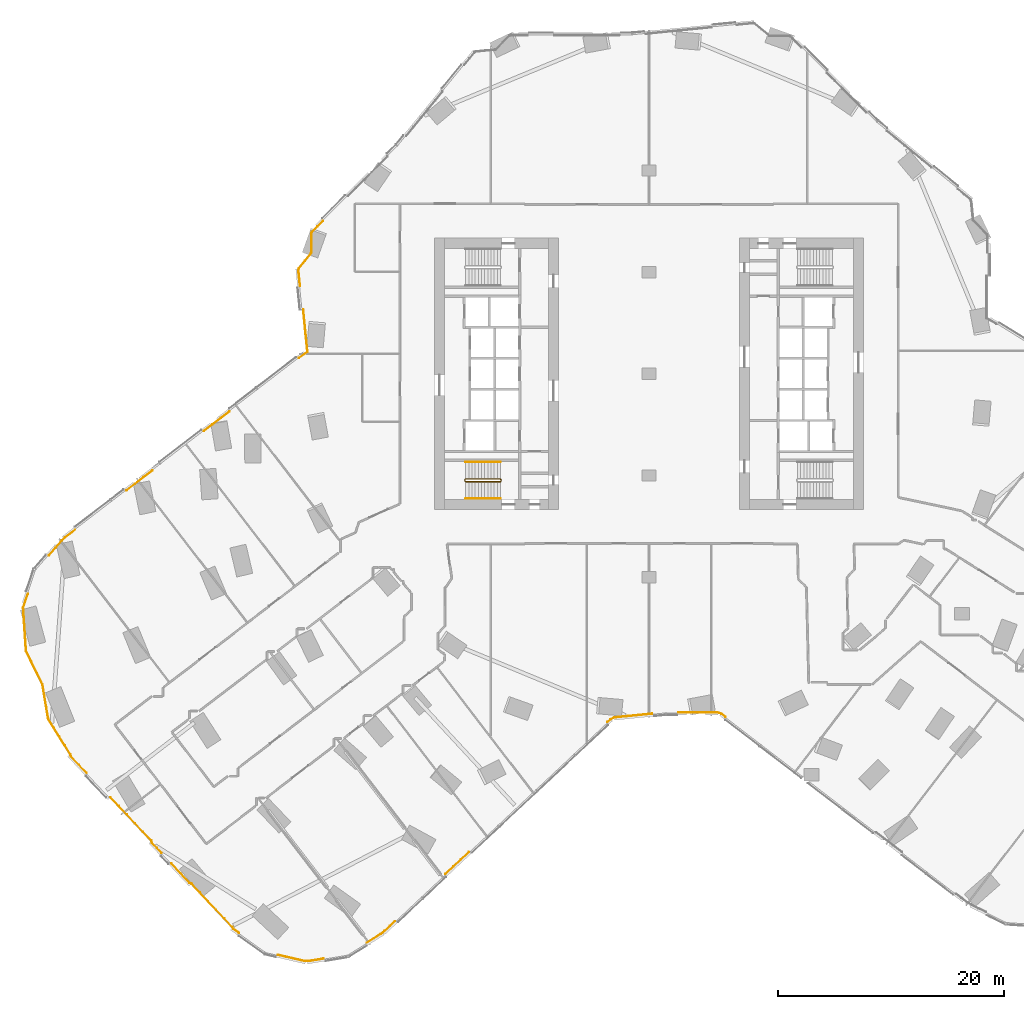
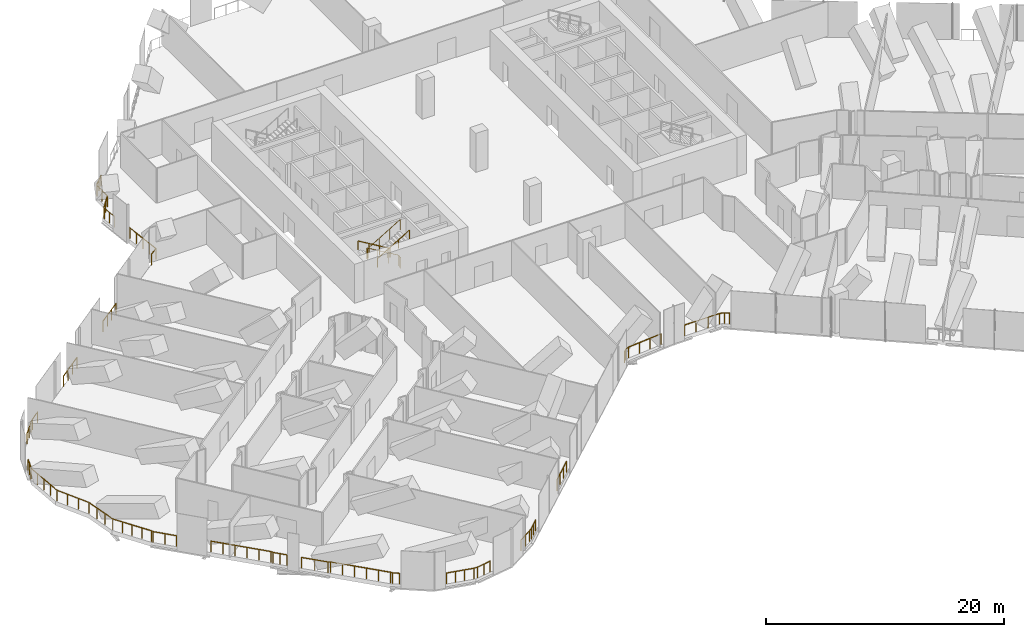
# One storey, part 30 of 32: 18 railings.
"""IFC4 building model written with IfcOpenShell, lengths in metres."""

from ifc_helpers import new_model, si_unit, direction, frame, origin, origin_2d, place, context, subcontext, project, spatial, circle, extrude, material, type_object, element, save


model = new_model("IFC4")

# Units and contexts
model_context = context("Model", 3, precision=1e-05, world=origin(), true_north=direction((0.0, 1.0)))
body_context = subcontext(model_context, "Body", "Model", "MODEL_VIEW")
ifc_project = project(units=[si_unit("LENGTHUNIT", "METRE"), si_unit("AREAUNIT", "SQUARE_METRE"), si_unit("VOLUMEUNIT", "CUBIC_METRE"), si_unit("PLANEANGLEUNIT", "RADIAN"), si_unit("MASSUNIT", "GRAM", prefix="KILO")], contexts=[model_context])

# Site, building, storey
site_placement = place(None, origin())
site = spatial("IfcSite", under=ifc_project, at=site_placement, CompositionType="ELEMENT")
building_placement = place(site_placement, origin())
building = spatial("IfcBuilding", under=site, at=building_placement, Name="Orlundy Tower", CompositionType="ELEMENT")
storey_placement = place(building_placement, frame((0.0, 0.0, 33.300048828125)))
storey = spatial("IfcBuildingStorey", under=building, at=storey_placement, Name="L06", CompositionType="ELEMENT", Elevation=33.300048828125)

# Railings
ifc_material_1 = material(Name="Steel balustrade", Category="steel")
railing_type_1 = type_object("IfcRailingType", Name="Stair Guard 1100", PredefinedType="GUARDRAIL", material=ifc_material_1)
railing_1_placement = place(storey_placement, frame((-13.090087890625, -9.35009765625, 0.0)))
element("IfcRailing", 1, at=railing_1_placement, inside=storey, type_object=railing_type_1, Name="L06 ST-W2 stair guard 1", PredefinedType="GUARDRAIL", context=body_context, shape_type="SweptSolid", body=[
    extrude(circle(Radius=0.02392578125, at=origin_2d()), frame((0.0, 0.0, 1.076171875), z_axis=(0.0, -1.0, 0.0), x_axis=(1.0, 0.0, 0.0)), (0.0, 0.0, 1.0), 0.14990234375),
    extrude(circle(Radius=0.02392578125, at=origin_2d()), frame((0.0, -0.14990234375, 1.076171875), z_axis=(-0.187996396626, 0.754750239394, 0.628497757347), x_axis=(-0.970351222016, -0.241699205484, 0.0)), (0.0, 0.0, 1.0), 0.264892578125),
    extrude(circle(Radius=0.02392578125, at=origin_2d()), frame((-0.0498046875, 0.050048828125, 1.24267578125), z_axis=(-0.85927862911, 0.0, 0.511507807912), x_axis=(0.0, -1.0, 0.0)), (0.0, 0.0, 1.0), 3.58447265625),
    extrude(circle(Radius=0.02392578125, at=origin_2d()), frame((-3.1298828125, 0.050048828125, 3.076171875), z_axis=(-0.707106781187, -0.707106781187, 0.0), x_axis=(0.707106781187, -0.707106781187, 0.0)), (0.0, 0.0, 1.0), 0.07080078125),
    extrude(circle(Radius=0.02392578125, at=origin_2d()), frame((-3.179931640625, 0.0, 3.076171875), z_axis=(0.0, -1.0, 0.0), x_axis=(1.0, 0.0, 0.0)), (0.0, 0.0, 1.0), 0.14990234375),
    extrude(circle(Radius=0.02392578125, at=origin_2d()), frame((-3.179931640625, -0.14990234375, 3.076171875), z_axis=(0.27662974545, -0.27662974545, 0.920299933644), x_axis=(0.707106781187, 0.707106781187, 0.0)), (0.0, 0.0, 1.0), 0.180908203125),
    extrude(circle(Radius=0.02392578125, at=origin_2d()), frame((-3.1298828125, -0.199951171875, 3.24267578125), z_axis=(0.85927862911, 0.0, 0.511507807912), x_axis=(0.0, 1.0, 0.0)), (0.0, 0.0, 1.0), 3.58447265625),
    extrude(circle(Radius=0.02099609375, at=origin_2d()), origin(), (0.0, 0.0, 1.0), 1.052001953125),
    extrude(circle(Radius=0.02099609375, at=origin_2d()), frame((0.0, -0.14990234375, 0.0)), (0.0, 0.0, 1.0), 1.052001953125),
    extrude(circle(Radius=0.02099609375, at=origin_2d()), frame((-0.0498046875, 0.050048828125, 0.16650390625)), (0.0, 0.0, 1.0), 1.052001953125),
    extrude(circle(Radius=0.02099609375, at=origin_2d()), frame((-1.076416015625, 0.050048828125, 0.777587890625)), (0.0, 0.0, 1.0), 1.052001953125),
    extrude(circle(Radius=0.02099609375, at=origin_2d()), frame((-2.103271484375, 0.050048828125, 1.388916015625)), (0.0, 0.0, 1.0), 1.052001953125),
    extrude(circle(Radius=0.02099609375, at=origin_2d()), frame((-3.1298828125, 0.050048828125, 2.0)), (0.0, 0.0, 1.0), 1.052001953125),
    extrude(circle(Radius=0.02099609375, at=origin_2d()), frame((-3.179931640625, 0.0, 2.0)), (0.0, 0.0, 1.0), 1.052001953125),
    extrude(circle(Radius=0.02099609375, at=origin_2d()), frame((-3.179931640625, -0.14990234375, 2.0)), (0.0, 0.0, 1.0), 1.052001953125),
    extrude(circle(Radius=0.02099609375, at=origin_2d()), frame((-3.1298828125, -0.199951171875, 2.16650390625)), (0.0, 0.0, 1.0), 1.052001953125),
    extrude(circle(Radius=0.02099609375, at=origin_2d()), frame((-2.103271484375, -0.199951171875, 2.777587890625)), (0.0, 0.0, 1.0), 1.052001953125),
    extrude(circle(Radius=0.02099609375, at=origin_2d()), frame((-1.076416015625, -0.199951171875, 3.388916015625)), (0.0, 0.0, 1.0), 1.052001953125),
    extrude(circle(Radius=0.02099609375, at=origin_2d()), frame((-0.0498046875, -0.199951171875, 4.0)), (0.0, 0.0, 1.0), 1.052001953125),
])
ifc_material_2 = material(Name="Steel handrail", Category="steel")
railing_type_2 = type_object("IfcRailingType", Name="Stair Handrail 900", PredefinedType="HANDRAIL", material=ifc_material_2)
railing_2_placement = place(storey_placement, frame((-13.139892578125, -7.800048828125, 0.16650390625)))
element("IfcRailing", 2, at=railing_2_placement, inside=storey, type_object=railing_type_2, Name="L06 ST-W2 stair handrail 1", PredefinedType="HANDRAIL", context=body_context, shape_type="SweptSolid", body=[
    extrude(circle(Radius=0.02392578125, at=origin_2d()), frame((0.0, 0.0, 0.8759765625), z_axis=(-0.85927862911, 0.0, 0.511507807912), x_axis=(0.0, -1.0, 0.0)), (0.0, 0.0, 1.0), 3.58447265625),
    extrude(circle(Radius=0.02099609375, at=origin_2d()), origin(), (0.0, 0.0, 1.0), 0.851806640625),
    extrude(circle(Radius=0.02099609375, at=origin_2d()), frame((-1.026611328125, 0.0, 0.611083984375)), (0.0, 0.0, 1.0), 0.851806640625),
    extrude(circle(Radius=0.02099609375, at=origin_2d()), frame((-2.053466796875, 0.0, 1.222412109375)), (0.0, 0.0, 1.0), 0.851806640625),
    extrude(circle(Radius=0.02099609375, at=origin_2d()), frame((-3.080078125, 0.0, 1.83349609375)), (0.0, 0.0, 1.0), 0.851806640625),
])
railing_3_placement = place(storey_placement, frame((-16.219970703125, -11.050048828125, 2.16650390625)))
element("IfcRailing", 3, at=railing_3_placement, inside=storey, type_object=railing_type_2, Name="L06 ST-W2 stair handrail 2", PredefinedType="HANDRAIL", context=body_context, shape_type="SweptSolid", body=[
    extrude(circle(Radius=0.02392578125, at=origin_2d()), frame((0.0, 0.0, 0.8759765625), z_axis=(0.85927862911, 0.0, 0.511507807912), x_axis=(0.0, 1.0, 0.0)), (0.0, 0.0, 1.0), 3.58447265625),
    extrude(circle(Radius=0.02099609375, at=origin_2d()), origin(), (0.0, 0.0, 1.0), 0.851806640625),
    extrude(circle(Radius=0.02099609375, at=origin_2d()), frame((1.026611328125, 0.0, 0.611083984375)), (0.0, 0.0, 1.0), 0.851806640625),
    extrude(circle(Radius=0.02099609375, at=origin_2d()), frame((2.053466796875, 0.0, 1.222412109375)), (0.0, 0.0, 1.0), 0.851806640625),
    extrude(circle(Radius=0.02099609375, at=origin_2d()), frame((3.080078125, 0.0, 1.83349609375)), (0.0, 0.0, 1.0), 0.851806640625),
])
ifc_material_3 = material(Name="Stainless steel bronze finish", Category="steel")
railing_type_3 = type_object("IfcRailingType", Name="TG1 terrace guard", PredefinedType="GUARDRAIL", material=ifc_material_3)
railing_4_placement = place(storey_placement, frame((-36.282958984375, -49.47119140625, 0.0)))
element("IfcRailing", 4, at=railing_4_placement, inside=storey, type_object=railing_type_3, Name="Guard TG-L06-E00", PredefinedType="GUARDRAIL", context=body_context, shape_type="SweptSolid", body=[
    extrude(circle(Radius=0.02490234375, at=origin_2d()), frame((0.0, 0.0, 1.09521484375), z_axis=(-0.813167238719, 0.582030103924, 0.0), x_axis=(-0.582030103924, -0.813167238719, 0.0)), (0.0, 0.0, 1.0), 0.5830078125),
    extrude(circle(Radius=0.02490234375, at=origin_2d()), frame((-0.47412109375, 0.33935546875, 1.09521484375), z_axis=(-0.509837067876, 0.860270983016, 0.0), x_axis=(-0.860270983016, -0.509837067876, 0.0)), (0.0, 0.0, 1.0), 0.19287109375),
    extrude(circle(Radius=0.02490234375, at=origin_2d()), frame((-0.572509765625, 0.50537109375, 1.09521484375), z_axis=(-0.684145287858, 0.729345751411, 0.0), x_axis=(-0.729345751411, -0.684145287858, 0.0)), (0.0, 0.0, 1.0), 5.25),
    extrude(circle(Radius=0.02490234375, at=origin_2d()), frame((-4.164306640625, 4.33447265625, 1.09521484375), z_axis=(-0.905690226558, 0.423940106049, 0.0), x_axis=(-0.423940106049, -0.905690226558, 0.0)), (0.0, 0.0, 1.0), 0.21533203125),
    extrude(circle(Radius=0.02490234375, at=origin_2d()), frame((-4.359375, 4.42578125, 1.09521484375), z_axis=(-0.684176896422, 0.729316100468, 0.0), x_axis=(-0.729316100468, -0.684176896422, 0.0)), (0.0, 0.0, 1.0), 2.342041015625),
    extrude(circle(Radius=0.02001953125, at=origin_2d()), origin(), (0.0, 0.0, 1.0), 1.070068359375),
    extrude(circle(Radius=0.02001953125, at=origin_2d()), frame((-0.47412109375, 0.33935546875, 0.0)), (0.0, 0.0, 1.0), 1.070068359375),
    extrude(circle(Radius=0.02001953125, at=origin_2d()), frame((-0.572509765625, 0.50537109375, 0.0)), (0.0, 0.0, 1.0), 1.070068359375),
    extrude(circle(Radius=0.02001953125, at=origin_2d()), frame((-1.290771484375, 1.271240234375, 0.0)), (0.0, 0.0, 1.0), 1.070068359375),
    extrude(circle(Radius=0.02001953125, at=origin_2d()), frame((-2.00927734375, 2.037109375, 0.0)), (0.0, 0.0, 1.0), 1.070068359375),
    extrude(circle(Radius=0.02001953125, at=origin_2d()), frame((-2.7275390625, 2.802734375, 0.0)), (0.0, 0.0, 1.0), 1.070068359375),
    extrude(circle(Radius=0.02001953125, at=origin_2d()), frame((-3.446044921875, 3.568603515625, 0.0)), (0.0, 0.0, 1.0), 1.070068359375),
    extrude(circle(Radius=0.02001953125, at=origin_2d()), frame((-4.164306640625, 4.33447265625, 0.0)), (0.0, 0.0, 1.0), 1.070068359375),
    extrude(circle(Radius=0.02001953125, at=origin_2d()), frame((-4.359375, 4.42578125, 0.0)), (0.0, 0.0, 1.0), 1.070068359375),
    extrude(circle(Radius=0.02001953125, at=origin_2d()), frame((-5.16064453125, 5.27978515625, 0.0)), (0.0, 0.0, 1.0), 1.070068359375),
    extrude(circle(Radius=0.02001953125, at=origin_2d()), frame((-5.961669921875, 6.1337890625, 0.0)), (0.0, 0.0, 1.0), 1.070068359375),
])
railing_5_placement = place(storey_placement, frame((-43.119873046875, -42.404296875, 0.0)))
element("IfcRailing", 5, at=railing_5_placement, inside=storey, type_object=railing_type_3, Name="Guard TG-L06-E02", PredefinedType="GUARDRAIL", context=body_context, shape_type="SweptSolid", body=[
    extrude(circle(Radius=0.02490234375, at=origin_2d()), frame((0.0, 0.0, 1.09521484375), z_axis=(-0.68409312711, 0.729394676044, 0.0), x_axis=(-0.729394676044, -0.68409312711, 0.0)), (0.0, 0.0, 1.0), 1.228759765625),
    extrude(circle(Radius=0.02490234375, at=origin_2d()), frame((-0.840576171875, 0.896240234375, 1.09521484375), z_axis=(-0.364741001806, 0.931109017034, 0.0), x_axis=(-0.931109017034, -0.364741001806, 0.0)), (0.0, 0.0, 1.0), 0.215576171875),
    extrude(circle(Radius=0.02490234375, at=origin_2d()), frame((-0.919189453125, 1.096923828125, 1.09521484375), z_axis=(-0.684120549876, 0.729368955493, 0.0), x_axis=(-0.729368955493, -0.684120549876, 0.0)), (0.0, 0.0, 1.0), 5.25),
    extrude(circle(Radius=0.02001953125, at=origin_2d()), origin(), (0.0, 0.0, 1.0), 1.070068359375),
    extrude(circle(Radius=0.02001953125, at=origin_2d()), frame((-0.42041015625, 0.4482421875, 0.0)), (0.0, 0.0, 1.0), 1.070068359375),
    extrude(circle(Radius=0.02001953125, at=origin_2d()), frame((-0.840576171875, 0.896240234375, 0.0)), (0.0, 0.0, 1.0), 1.070068359375),
    extrude(circle(Radius=0.02001953125, at=origin_2d()), frame((-0.919189453125, 1.096923828125, 0.0)), (0.0, 0.0, 1.0), 1.070068359375),
    extrude(circle(Radius=0.02001953125, at=origin_2d()), frame((-1.637451171875, 1.86279296875, 0.0)), (0.0, 0.0, 1.0), 1.070068359375),
    extrude(circle(Radius=0.02001953125, at=origin_2d()), frame((-2.355712890625, 2.628662109375, 0.0)), (0.0, 0.0, 1.0), 1.070068359375),
    extrude(circle(Radius=0.02001953125, at=origin_2d()), frame((-3.07421875, 3.394287109375, 0.0)), (0.0, 0.0, 1.0), 1.070068359375),
    extrude(circle(Radius=0.02001953125, at=origin_2d()), frame((-3.79248046875, 4.16015625, 0.0)), (0.0, 0.0, 1.0), 1.070068359375),
    extrude(circle(Radius=0.02001953125, at=origin_2d()), frame((-4.5107421875, 4.926025390625, 0.0)), (0.0, 0.0, 1.0), 1.070068359375),
])
railing_6_placement = place(storey_placement, frame((-30.8798828125, 7.79052734375, 0.0)))
element("IfcRailing", 6, at=railing_6_placement, inside=storey, type_object=railing_type_3, Name="Guard TG-L06-E06", PredefinedType="GUARDRAIL", context=body_context, shape_type="SweptSolid", body=[
    extrude(circle(Radius=0.02490234375, at=origin_2d()), frame((0.0, 0.0, 1.09521484375), z_axis=(-0.098723080982, 0.995114944758, 0.0), x_axis=(-0.995114944758, -0.098723080982, 0.0)), (0.0, 0.0, 1.0), 1.424560546875),
    extrude(circle(Radius=0.02490234375, at=origin_2d()), frame((-0.140625, 1.41748046875, 1.09521484375), z_axis=(0.268969644724, 0.963148654267, 0.0), x_axis=(-0.963148654267, 0.268969644724, 0.0)), (0.0, 0.0, 1.0), 0.12353515625),
    extrude(circle(Radius=0.02490234375, at=origin_2d()), frame((-0.107421875, 1.536376953125, 1.09521484375), z_axis=(0.633807135146, 0.773491121757, 0.0), x_axis=(-0.773491121757, 0.633807135146, 0.0)), (0.0, 0.0, 1.0), 1.7041015625),
    extrude(circle(Radius=0.02490234375, at=origin_2d()), frame((0.97265625, 2.8544921875, 1.09521484375), z_axis=(0.338826592049, 0.940848840421, 0.0), x_axis=(-0.940848840421, 0.338826592049, 0.0)), (0.0, 0.0, 1.0), 0.080810546875),
    extrude(circle(Radius=0.02490234375, at=origin_2d()), frame((1.0, 2.930419921875, 1.09521484375), z_axis=(0.0, 1.0, 0.0), x_axis=(-1.0, 0.0, 0.0)), (0.0, 0.0, 1.0), 1.705078125),
    extrude(circle(Radius=0.02490234375, at=origin_2d()), frame((1.0, 4.635498046875, 1.09521484375), z_axis=(0.401545075619, 0.91583926114, 0.0), x_axis=(-0.91583926114, 0.401545075619, 0.0)), (0.0, 0.0, 1.0), 0.12353515625),
    extrude(circle(Radius=0.02490234375, at=origin_2d()), frame((1.049560546875, 4.74853515625, 1.09521484375), z_axis=(0.707106781187, 0.707106781187, 0.0), x_axis=(-0.707106781187, 0.707106781187, 0.0)), (0.0, 0.0, 1.0), 1.3720703125),
    extrude(circle(Radius=0.02001953125, at=origin_2d()), origin(), (0.0, 0.0, 1.0), 1.070068359375),
    extrude(circle(Radius=0.02001953125, at=origin_2d()), frame((-0.0703125, 0.708740234375, 0.0)), (0.0, 0.0, 1.0), 1.070068359375),
    extrude(circle(Radius=0.02001953125, at=origin_2d()), frame((-0.140625, 1.41748046875, 0.0)), (0.0, 0.0, 1.0), 1.070068359375),
    extrude(circle(Radius=0.02001953125, at=origin_2d()), frame((-0.107421875, 1.536376953125, 0.0)), (0.0, 0.0, 1.0), 1.070068359375),
    extrude(circle(Radius=0.02001953125, at=origin_2d()), frame((0.4326171875, 2.1953125, 0.0)), (0.0, 0.0, 1.0), 1.070068359375),
    extrude(circle(Radius=0.02001953125, at=origin_2d()), frame((0.97265625, 2.8544921875, 0.0)), (0.0, 0.0, 1.0), 1.070068359375),
    extrude(circle(Radius=0.02001953125, at=origin_2d()), frame((1.0, 2.930419921875, 0.0)), (0.0, 0.0, 1.0), 1.070068359375),
    extrude(circle(Radius=0.02001953125, at=origin_2d()), frame((1.0, 3.782958984375, 0.0)), (0.0, 0.0, 1.0), 1.070068359375),
    extrude(circle(Radius=0.02001953125, at=origin_2d()), frame((1.0, 4.635498046875, 0.0)), (0.0, 0.0, 1.0), 1.070068359375),
    extrude(circle(Radius=0.02001953125, at=origin_2d()), frame((1.049560546875, 4.74853515625, 0.0)), (0.0, 0.0, 1.0), 1.070068359375),
    extrude(circle(Radius=0.02001953125, at=origin_2d()), frame((1.53466796875, 5.233642578125, 0.0)), (0.0, 0.0, 1.0), 1.070068359375),
    extrude(circle(Radius=0.02001953125, at=origin_2d()), frame((2.019775390625, 5.71875, 0.0)), (0.0, 0.0, 1.0), 1.070068359375),
])
railing_7_placement = place(storey_placement, frame((-53.155517578125, -30.541748046875, 0.0)))
element("IfcRailing", 7, at=railing_7_placement, inside=storey, type_object=railing_type_3, Name="Guard TG-L06-E08", PredefinedType="GUARDRAIL", context=body_context, shape_type="SweptSolid", body=[
    extrude(circle(Radius=0.02490234375, at=origin_2d()), frame((0.0, 0.0, 1.09521484375), z_axis=(-0.16516235139, 0.986266392859, 0.0), x_axis=(-0.986266392859, -0.16516235139, 0.0)), (0.0, 0.0, 1.0), 3.111572265625),
    extrude(circle(Radius=0.02490234375, at=origin_2d()), frame((-0.513916015625, 3.06884765625, 1.09521484375), z_axis=(-0.442257164976, 0.896888287373, 0.0), x_axis=(-0.896888287373, -0.442257164976, 0.0)), (0.0, 0.0, 1.0), 3.275146484375),
    extrude(circle(Radius=0.02001953125, at=origin_2d()), origin(), (0.0, 0.0, 1.0), 1.070068359375),
    extrude(circle(Radius=0.02001953125, at=origin_2d()), frame((-0.17138671875, 1.02294921875, 0.0)), (0.0, 0.0, 1.0), 1.070068359375),
    extrude(circle(Radius=0.02001953125, at=origin_2d()), frame((-0.342529296875, 2.0458984375, 0.0)), (0.0, 0.0, 1.0), 1.070068359375),
    extrude(circle(Radius=0.02001953125, at=origin_2d()), frame((-0.513916015625, 3.06884765625, 0.0)), (0.0, 0.0, 1.0), 1.070068359375),
    extrude(circle(Radius=0.02001953125, at=origin_2d()), frame((-0.996826171875, 4.048095703125, 0.0)), (0.0, 0.0, 1.0), 1.070068359375),
    extrude(circle(Radius=0.02001953125, at=origin_2d()), frame((-1.4794921875, 5.027099609375, 0.0)), (0.0, 0.0, 1.0), 1.070068359375),
    extrude(circle(Radius=0.02001953125, at=origin_2d()), frame((-1.96240234375, 6.00634765625, 0.0)), (0.0, 0.0, 1.0), 1.070068359375),
])
railing_8_placement = place(storey_placement, frame((-49.753173828125, -35.33251953125, 0.0)))
element("IfcRailing", 8, at=railing_8_placement, inside=storey, type_object=railing_type_3, Name="Guard TG-L06-E010", PredefinedType="GUARDRAIL", context=body_context, shape_type="SweptSolid", body=[
    extrude(circle(Radius=0.02490234375, at=origin_2d()), frame((0.0, 0.0, 1.09521484375), z_axis=(-0.684108876508, 0.729379904496, 0.0), x_axis=(-0.729379904496, -0.684108876508, 0.0)), (0.0, 0.0, 1.0), 2.033203125),
    extrude(circle(Radius=0.02490234375, at=origin_2d()), frame((-1.390869140625, 1.48291015625, 1.09521484375), z_axis=(-0.331364286871, 0.943502893152, 0.0), x_axis=(-0.943502893152, -0.331364286871, 0.0)), (0.0, 0.0, 1.0), 0.193115234375),
    extrude(circle(Radius=0.02490234375, at=origin_2d()), frame((-1.454833984375, 1.6650390625, 1.09521484375), z_axis=(-0.52881261138, 0.848738606431, 0.0), x_axis=(-0.848738606431, -0.52881261138, 0.0)), (0.0, 0.0, 1.0), 3.682861328125),
    extrude(circle(Radius=0.02001953125, at=origin_2d()), origin(), (0.0, 0.0, 1.0), 1.070068359375),
    extrude(circle(Radius=0.02001953125, at=origin_2d()), frame((-0.6953125, 0.741455078125, 0.0)), (0.0, 0.0, 1.0), 1.070068359375),
    extrude(circle(Radius=0.02001953125, at=origin_2d()), frame((-1.390869140625, 1.48291015625, 0.0)), (0.0, 0.0, 1.0), 1.070068359375),
    extrude(circle(Radius=0.02001953125, at=origin_2d()), frame((-1.454833984375, 1.6650390625, 0.0)), (0.0, 0.0, 1.0), 1.070068359375),
    extrude(circle(Radius=0.02001953125, at=origin_2d()), frame((-1.941650390625, 2.446533203125, 0.0)), (0.0, 0.0, 1.0), 1.070068359375),
    extrude(circle(Radius=0.02001953125, at=origin_2d()), frame((-2.4287109375, 3.22802734375, 0.0)), (0.0, 0.0, 1.0), 1.070068359375),
    extrude(circle(Radius=0.02001953125, at=origin_2d()), frame((-2.91552734375, 4.00927734375, 0.0)), (0.0, 0.0, 1.0), 1.070068359375),
    extrude(circle(Radius=0.02001953125, at=origin_2d()), frame((-3.40234375, 4.790771484375, 0.0)), (0.0, 0.0, 1.0), 1.070068359375),
])
railing_9_placement = place(storey_placement, frame((-55.117919921875, -24.535400390625, 0.0)))
element("IfcRailing", 9, at=railing_9_placement, inside=storey, type_object=railing_type_3, Name="Guard TG-L06-E014", PredefinedType="GUARDRAIL", context=body_context, shape_type="SweptSolid", body=[
    extrude(circle(Radius=0.02490234375, at=origin_2d()), frame((0.0, 0.0, 1.09521484375), z_axis=(-0.066981657465, 0.997754206988, 0.0), x_axis=(-0.997754206988, -0.066981657465, 0.0)), (0.0, 0.0, 1.0), 3.8525390625),
    extrude(circle(Radius=0.02490234375, at=origin_2d()), frame((-0.258056640625, 3.843994140625, 1.09521484375), z_axis=(0.32144168155, 0.946929377178, 0.0), x_axis=(-0.946929377178, 0.32144168155, 0.0)), (0.0, 0.0, 1.0), 1.291259765625),
    extrude(circle(Radius=0.02001953125, at=origin_2d()), origin(), (0.0, 0.0, 1.0), 1.070068359375),
    extrude(circle(Radius=0.02001953125, at=origin_2d()), frame((-0.064453125, 0.9609375, 0.0)), (0.0, 0.0, 1.0), 1.070068359375),
    extrude(circle(Radius=0.02001953125, at=origin_2d()), frame((-0.12890625, 1.921875, 0.0)), (0.0, 0.0, 1.0), 1.070068359375),
    extrude(circle(Radius=0.02001953125, at=origin_2d()), frame((-0.193603515625, 2.883056640625, 0.0)), (0.0, 0.0, 1.0), 1.070068359375),
    extrude(circle(Radius=0.02001953125, at=origin_2d()), frame((-0.258056640625, 3.843994140625, 0.0)), (0.0, 0.0, 1.0), 1.070068359375),
    extrude(circle(Radius=0.02001953125, at=origin_2d()), frame((-0.050537109375, 4.455322265625, 0.0)), (0.0, 0.0, 1.0), 1.070068359375),
    extrude(circle(Radius=0.02001953125, at=origin_2d()), frame((0.156982421875, 5.066650390625, 0.0)), (0.0, 0.0, 1.0), 1.070068359375),
])
railing_10_placement = place(storey_placement, frame((-30.982421875, 1.3857421875, 0.0)))
element("IfcRailing", 10, at=railing_10_placement, inside=storey, type_object=railing_type_3, Name="Guard TG-L06-E021", PredefinedType="GUARDRAIL", context=body_context, shape_type="SweptSolid", body=[
    extrude(circle(Radius=0.02490234375, at=origin_2d()), frame((0.0, 0.0, 1.09521484375), z_axis=(0.80808702635, 0.589063118728, 0.0), x_axis=(-0.589063118728, 0.80808702635, 0.0)), (0.0, 0.0, 1.0), 0.944091796875),
    extrude(circle(Radius=0.02490234375, at=origin_2d()), frame((0.762939453125, 0.55615234375, 1.09521484375), z_axis=(-0.098705381042, 0.99511670057, 0.0), x_axis=(-0.99511670057, -0.098705381042, 0.0)), (0.0, 0.0, 1.0), 3.754638671875),
    extrude(circle(Radius=0.02001953125, at=origin_2d()), origin(), (0.0, 0.0, 1.0), 1.070068359375),
    extrude(circle(Radius=0.02001953125, at=origin_2d()), frame((0.762939453125, 0.55615234375, 0.0)), (0.0, 0.0, 1.0), 1.070068359375),
    extrude(circle(Radius=0.02001953125, at=origin_2d()), frame((0.67041015625, 1.490234375, 0.0)), (0.0, 0.0, 1.0), 1.070068359375),
    extrude(circle(Radius=0.02001953125, at=origin_2d()), frame((0.57763671875, 2.42431640625, 0.0)), (0.0, 0.0, 1.0), 1.070068359375),
    extrude(circle(Radius=0.02001953125, at=origin_2d()), frame((0.48486328125, 3.3583984375, 0.0)), (0.0, 0.0, 1.0), 1.070068359375),
    extrude(circle(Radius=0.02001953125, at=origin_2d()), frame((0.392333984375, 4.29248046875, 0.0)), (0.0, 0.0, 1.0), 1.070068359375),
])
railing_11_placement = place(storey_placement, frame((6.771484375, -30.355224609375, 0.0)))
element("IfcRailing", 11, at=railing_11_placement, inside=storey, type_object=railing_type_3, Name="Guard TG-L06-E022", PredefinedType="GUARDRAIL", context=body_context, shape_type="SweptSolid", body=[
    extrude(circle(Radius=0.02490234375, at=origin_2d()), frame((0.0, 0.0, 1.09521484375), z_axis=(-0.793290434524, 0.608843400631, 0.0), x_axis=(-0.608843400631, -0.793290434524, 0.0)), (0.0, 0.0, 1.0), 0.435546875),
    extrude(circle(Radius=0.02490234375, at=origin_2d()), frame((-0.345458984375, 0.26513671875, 1.09521484375), z_axis=(-0.946857315914, 0.321653887433, 0.0), x_axis=(-0.321653887433, -0.946857315914, 0.0)), (0.0, 0.0, 1.0), 0.404541015625),
    extrude(circle(Radius=0.02490234375, at=origin_2d()), frame((-0.728515625, 0.395263671875, 1.09521484375), z_axis=(-1.0, 0.0, 0.0), x_axis=(0.0, -1.0, 0.0)), (0.0, 0.0, 1.0), 3.414794921875),
    extrude(circle(Radius=0.02001953125, at=origin_2d()), origin(), (0.0, 0.0, 1.0), 1.070068359375),
    extrude(circle(Radius=0.02001953125, at=origin_2d()), frame((-0.345458984375, 0.26513671875, 0.0)), (0.0, 0.0, 1.0), 1.070068359375),
    extrude(circle(Radius=0.02001953125, at=origin_2d()), frame((-0.728515625, 0.395263671875, 0.0)), (0.0, 0.0, 1.0), 1.070068359375),
    extrude(circle(Radius=0.02001953125, at=origin_2d()), frame((-1.86669921875, 0.395263671875, 0.0)), (0.0, 0.0, 1.0), 1.070068359375),
    extrude(circle(Radius=0.02001953125, at=origin_2d()), frame((-3.005126953125, 0.395263671875, 0.0)), (0.0, 0.0, 1.0), 1.070068359375),
    extrude(circle(Radius=0.02001953125, at=origin_2d()), frame((-4.143310546875, 0.395263671875, 0.0)), (0.0, 0.0, 1.0), 1.070068359375),
])
railing_12_placement = place(storey_placement, frame((-28.80029296875, -51.75146484375, 0.0)))
element("IfcRailing", 12, at=railing_12_placement, inside=storey, type_object=railing_type_3, Name="Guard TG-L06-E024", PredefinedType="GUARDRAIL", context=body_context, shape_type="SweptSolid", body=[
    extrude(circle(Radius=0.02490234375, at=origin_2d()), frame((0.0, 0.0, 1.09521484375), z_axis=(-0.986506522021, -0.163721965568, 0.0), x_axis=(0.163721965568, -0.986506522021, 0.0)), (0.0, 0.0, 1.0), 1.344970703125),
    extrude(circle(Radius=0.02490234375, at=origin_2d()), frame((-1.326904296875, -0.22021484375, 1.09521484375), z_axis=(-0.999496149161, 0.031740318411, 0.0), x_axis=(-0.031740318411, -0.999496149161, 0.0)), (0.0, 0.0, 1.0), 0.376953125),
    extrude(circle(Radius=0.02490234375, at=origin_2d()), frame((-1.70361328125, -0.208251953125, 1.09521484375), z_axis=(-0.974070019875, 0.226246759935, 0.0), x_axis=(-0.226246759935, -0.974070019875, 0.0)), (0.0, 0.0, 1.0), 2.403076171875),
    extrude(circle(Radius=0.02001953125, at=origin_2d()), origin(), (0.0, 0.0, 1.0), 1.070068359375),
    extrude(circle(Radius=0.02001953125, at=origin_2d()), frame((-0.66357421875, -0.110107421875, 0.0)), (0.0, 0.0, 1.0), 1.070068359375),
    extrude(circle(Radius=0.02001953125, at=origin_2d()), frame((-1.326904296875, -0.22021484375, 0.0)), (0.0, 0.0, 1.0), 1.070068359375),
    extrude(circle(Radius=0.02001953125, at=origin_2d()), frame((-1.70361328125, -0.208251953125, 0.0)), (0.0, 0.0, 1.0), 1.070068359375),
    extrude(circle(Radius=0.02001953125, at=origin_2d()), frame((-2.48388671875, -0.027099609375, 0.0)), (0.0, 0.0, 1.0), 1.070068359375),
    extrude(circle(Radius=0.02001953125, at=origin_2d()), frame((-3.26416015625, 0.154296875, 0.0)), (0.0, 0.0, 1.0), 1.070068359375),
    extrude(circle(Radius=0.02001953125, at=origin_2d()), frame((-4.04443359375, 0.33544921875, 0.0)), (0.0, 0.0, 1.0), 1.070068359375),
])
railing_13_placement = place(storey_placement, frame((0.2734375, -30.080078125, 0.0)))
element("IfcRailing", 13, at=railing_13_placement, inside=storey, type_object=railing_type_3, Name="Guard TG-L06-E025", PredefinedType="GUARDRAIL", context=body_context, shape_type="SweptSolid", body=[
    extrude(circle(Radius=0.02490234375, at=origin_2d()), frame((0.0, 0.0, 1.09521484375), z_axis=(-0.995111350016, -0.098759308778, 0.0), x_axis=(0.098759308778, -0.995111350016, 0.0)), (0.0, 0.0, 1.0), 3.3447265625),
    extrude(circle(Radius=0.02490234375, at=origin_2d()), frame((-3.328369140625, -0.330322265625, 1.09521484375), z_axis=(-0.910469832584, -0.413575487613, 0.0), x_axis=(0.413575487613, -0.910469832584, 0.0)), (0.0, 0.0, 1.0), 0.404296875),
    extrude(circle(Radius=0.02490234375, at=origin_2d()), frame((-3.696533203125, -0.49755859375, 1.09521484375), z_axis=(-0.729558769003, -0.683918125634, 0.0), x_axis=(0.683918125634, -0.729558769003, 0.0)), (0.0, 0.0, 1.0), 0.35302734375),
    extrude(circle(Radius=0.02001953125, at=origin_2d()), origin(), (0.0, 0.0, 1.0), 1.070068359375),
    extrude(circle(Radius=0.02001953125, at=origin_2d()), frame((-1.109375, -0.110107421875, 0.0)), (0.0, 0.0, 1.0), 1.070068359375),
    extrude(circle(Radius=0.02001953125, at=origin_2d()), frame((-2.218994140625, -0.22021484375, 0.0)), (0.0, 0.0, 1.0), 1.070068359375),
    extrude(circle(Radius=0.02001953125, at=origin_2d()), frame((-3.328369140625, -0.330322265625, 0.0)), (0.0, 0.0, 1.0), 1.070068359375),
    extrude(circle(Radius=0.02001953125, at=origin_2d()), frame((-3.696533203125, -0.49755859375, 0.0)), (0.0, 0.0, 1.0), 1.070068359375),
    extrude(circle(Radius=0.02001953125, at=origin_2d()), frame((-3.9541015625, -0.739013671875, 0.0)), (0.0, 0.0, 1.0), 1.070068359375),
])
railing_14_placement = place(storey_placement, frame((-53.1025390625, -16.06787109375, 0.0)))
element("IfcRailing", 14, at=railing_14_placement, inside=storey, type_object=railing_type_3, Name="Guard TG-L06-E027", PredefinedType="GUARDRAIL", context=body_context, shape_type="SweptSolid", body=[
    extrude(circle(Radius=0.02490234375, at=origin_2d()), frame((0.0, 0.0, 1.09521484375), z_axis=(0.659360612213, 0.751826830501, 0.0), x_axis=(-0.751826830501, 0.659360612213, 0.0)), (0.0, 0.0, 1.0), 1.755859375),
    extrude(circle(Radius=0.02490234375, at=origin_2d()), frame((1.15771484375, 1.320068359375, 1.09521484375), z_axis=(0.72986868364, 0.683587378936, 0.0), x_axis=(-0.683587378936, 0.72986868364, 0.0)), (0.0, 0.0, 1.0), 0.390380859375),
    extrude(circle(Radius=0.02490234375, at=origin_2d()), frame((1.442626953125, 1.5869140625, 1.09521484375), z_axis=(0.793262866423, 0.608879318712, 0.0), x_axis=(-0.608879318712, 0.793262866423, 0.0)), (0.0, 0.0, 1.0), 1.12158203125),
    extrude(circle(Radius=0.02001953125, at=origin_2d()), origin(), (0.0, 0.0, 1.0), 1.070068359375),
    extrude(circle(Radius=0.02001953125, at=origin_2d()), frame((0.578857421875, 0.66015625, 0.0)), (0.0, 0.0, 1.0), 1.070068359375),
    extrude(circle(Radius=0.02001953125, at=origin_2d()), frame((1.15771484375, 1.320068359375, 0.0)), (0.0, 0.0, 1.0), 1.070068359375),
    extrude(circle(Radius=0.02001953125, at=origin_2d()), frame((1.442626953125, 1.5869140625, 0.0)), (0.0, 0.0, 1.0), 1.070068359375),
    extrude(circle(Radius=0.02001953125, at=origin_2d()), frame((2.332275390625, 2.269775390625, 0.0)), (0.0, 0.0, 1.0), 1.070068359375),
])
railing_15_placement = place(storey_placement, frame((-22.465576171875, -48.438720703125, 0.0)))
element("IfcRailing", 15, at=railing_15_placement, inside=storey, type_object=railing_type_3, Name="Guard TG-L06-E028", PredefinedType="GUARDRAIL", context=body_context, shape_type="SweptSolid", body=[
    extrude(circle(Radius=0.02490234375, at=origin_2d()), frame((0.0, 0.0, 1.09521484375), z_axis=(-0.729316468807, -0.684176503782, 0.0), x_axis=(0.684176503782, -0.729316468807, 0.0)), (0.0, 0.0, 1.0), 1.2763671875),
    extrude(circle(Radius=0.02490234375, at=origin_2d()), frame((-0.930908203125, -0.873291015625, 1.09521484375), z_axis=(-0.792810045271, -0.60946881144, 0.0), x_axis=(0.60946881144, -0.792810045271, 0.0)), (0.0, 0.0, 1.0), 0.39013671875),
    extrude(circle(Radius=0.02490234375, at=origin_2d()), frame((-1.240234375, -1.111083984375, 1.09521484375), z_axis=(-0.84896725652, -0.528445453531, 0.0), x_axis=(0.528445453531, -0.84896725652, 0.0)), (0.0, 0.0, 1.0), 1.498291015625),
    extrude(circle(Radius=0.02001953125, at=origin_2d()), origin(), (0.0, 0.0, 1.0), 1.070068359375),
    extrude(circle(Radius=0.02001953125, at=origin_2d()), frame((-0.46533203125, -0.4365234375, 0.0)), (0.0, 0.0, 1.0), 1.070068359375),
    extrude(circle(Radius=0.02001953125, at=origin_2d()), frame((-0.930908203125, -0.873291015625, 0.0)), (0.0, 0.0, 1.0), 1.070068359375),
    extrude(circle(Radius=0.02001953125, at=origin_2d()), frame((-1.240234375, -1.111083984375, 0.0)), (0.0, 0.0, 1.0), 1.070068359375),
    extrude(circle(Radius=0.02001953125, at=origin_2d()), frame((-1.876220703125, -1.5068359375, 0.0)), (0.0, 0.0, 1.0), 1.070068359375),
    extrude(circle(Radius=0.02001953125, at=origin_2d()), frame((-2.51220703125, -1.90283203125, 0.0)), (0.0, 0.0, 1.0), 1.070068359375),
])
railing_16_placement = place(storey_placement, frame((-46.247802734375, -10.327880859375, 0.0)))
element("IfcRailing", 16, at=railing_16_placement, inside=storey, type_object=railing_type_3, Name="Guard TG-L06-E032", PredefinedType="GUARDRAIL", context=body_context, shape_type="SweptSolid", body=[
    extrude(circle(Radius=0.02490234375, at=origin_2d()), frame((0.0, 0.0, 1.09521484375), z_axis=(0.793354643984, 0.608759729999, 0.0), x_axis=(-0.608759729999, 0.793354643984, 0.0)), (0.0, 0.0, 1.0), 2.904296875),
    extrude(circle(Radius=0.02001953125, at=origin_2d()), origin(), (0.0, 0.0, 1.0), 1.070068359375),
    extrude(circle(Radius=0.02001953125, at=origin_2d()), frame((0.76806640625, 0.58935546875, 0.0)), (0.0, 0.0, 1.0), 1.070068359375),
    extrude(circle(Radius=0.02001953125, at=origin_2d()), frame((1.5361328125, 1.1787109375, 0.0)), (0.0, 0.0, 1.0), 1.070068359375),
    extrude(circle(Radius=0.02001953125, at=origin_2d()), frame((2.30419921875, 1.76806640625, 0.0)), (0.0, 0.0, 1.0), 1.070068359375),
])
railing_17_placement = place(storey_placement, frame((-15.944580078125, -42.322265625, 0.0)))
element("IfcRailing", 17, at=railing_17_placement, inside=storey, type_object=railing_type_3, Name="Guard TG-L06-E034", PredefinedType="GUARDRAIL", context=body_context, shape_type="SweptSolid", body=[
    extrude(circle(Radius=0.02490234375, at=origin_2d()), frame((0.0, 0.0, 1.09521484375), z_axis=(-0.729326325998, -0.68416599609, 0.0), x_axis=(0.68416599609, -0.729326325998, 0.0)), (0.0, 0.0, 1.0), 2.816650390625),
    extrude(circle(Radius=0.02001953125, at=origin_2d()), origin(), (0.0, 0.0, 1.0), 1.070068359375),
    extrude(circle(Radius=0.02001953125, at=origin_2d()), frame((-0.684814453125, -0.642333984375, 0.0)), (0.0, 0.0, 1.0), 1.070068359375),
    extrude(circle(Radius=0.02001953125, at=origin_2d()), frame((-1.369384765625, -1.28466796875, 0.0)), (0.0, 0.0, 1.0), 1.070068359375),
    extrude(circle(Radius=0.02001953125, at=origin_2d()), frame((-2.05419921875, -1.927001953125, 0.0)), (0.0, 0.0, 1.0), 1.070068359375),
])
railing_18_placement = place(storey_placement, frame((-39.366455078125, -5.047607421875, 0.0)))
element("IfcRailing", 18, at=railing_18_placement, inside=storey, type_object=railing_type_3, Name="Guard TG-L06-E035", PredefinedType="GUARDRAIL", context=body_context, shape_type="SweptSolid", body=[
    extrude(circle(Radius=0.02490234375, at=origin_2d()), frame((0.0, 0.0, 1.09521484375), z_axis=(0.793365895453, 0.608745066454, 0.0), x_axis=(-0.608745066454, 0.793365895453, 0.0)), (0.0, 0.0, 1.0), 2.811279296875),
    extrude(circle(Radius=0.02001953125, at=origin_2d()), origin(), (0.0, 0.0, 1.0), 1.070068359375),
    extrude(circle(Radius=0.02001953125, at=origin_2d()), frame((0.743408203125, 0.570556640625, 0.0)), (0.0, 0.0, 1.0), 1.070068359375),
    extrude(circle(Radius=0.02001953125, at=origin_2d()), frame((1.487060546875, 1.140869140625, 0.0)), (0.0, 0.0, 1.0), 1.070068359375),
    extrude(circle(Radius=0.02001953125, at=origin_2d()), frame((2.23046875, 1.71142578125, 0.0)), (0.0, 0.0, 1.0), 1.070068359375),
])

save(model, "model.ifc")
